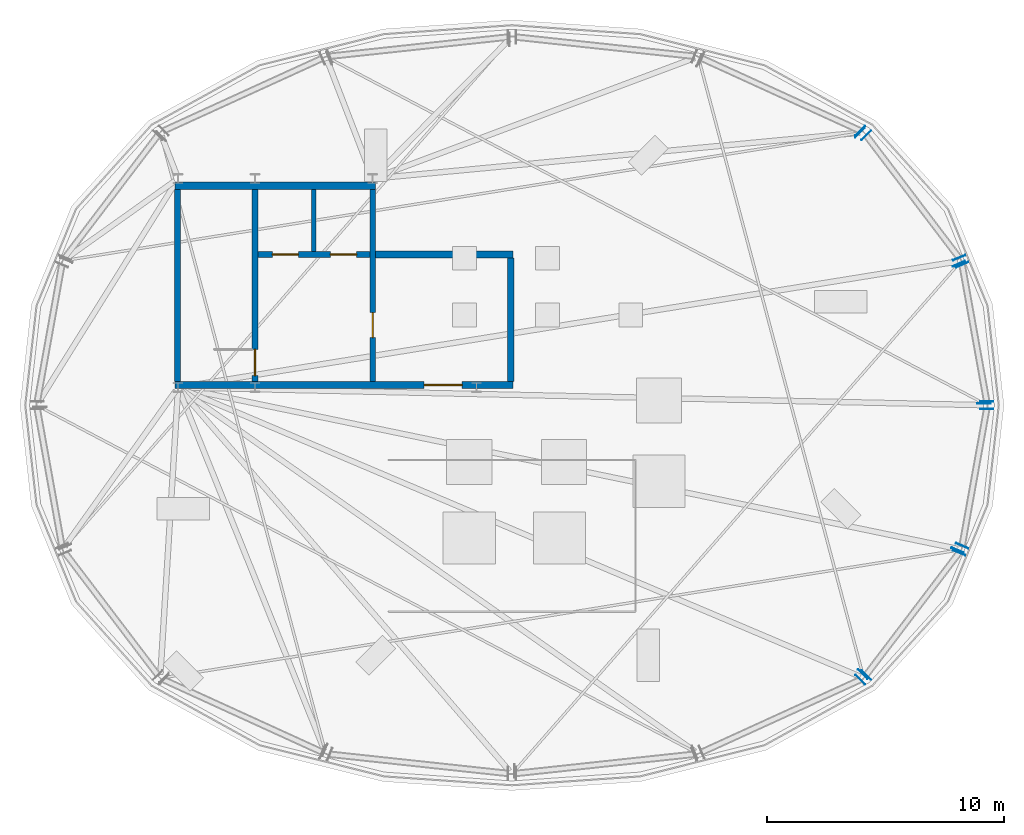
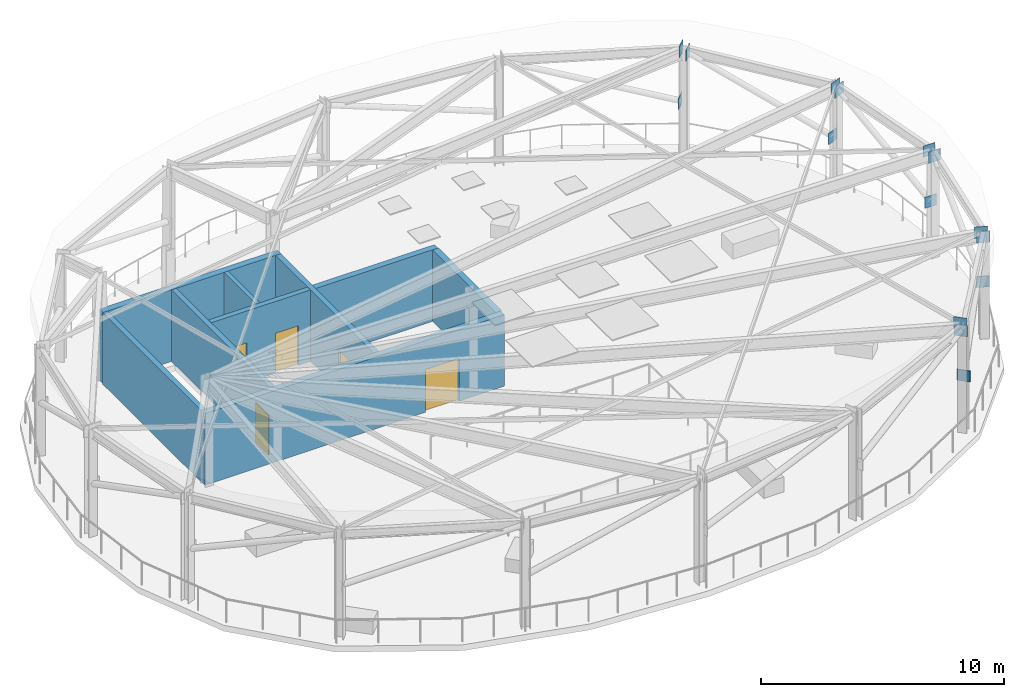
# One storey, part 4 of 6: 15 plates, 9 walls, 5 doors, 5 openings.
"""IFC4 building model written with IfcOpenShell, lengths in metres."""

from ifc_helpers import new_model, si_unit, direction, frame, frame_2d, origin, origin_2d, place, context, subcontext, project, spatial, rectangle, extrude, material, layer, layer_set, type_object, element, fill, save


model = new_model("IFC4")

# Units and contexts
model_context = context("Model", 3, precision=1e-05, world=origin(), true_north=direction((0.0, 1.0)))
body_context = subcontext(model_context, "Body", "Model", "MODEL_VIEW")
ifc_project = project(units=[si_unit("LENGTHUNIT", "METRE"), si_unit("AREAUNIT", "SQUARE_METRE"), si_unit("VOLUMEUNIT", "CUBIC_METRE"), si_unit("PLANEANGLEUNIT", "RADIAN"), si_unit("MASSUNIT", "GRAM", prefix="KILO")], contexts=[model_context])

# Site, building, storey
site_placement = place(None, origin())
site = spatial("IfcSite", under=ifc_project, at=site_placement, CompositionType="ELEMENT")
building_placement = place(site_placement, origin())
building = spatial("IfcBuilding", under=site, at=building_placement, Name="Haldorwick Loom Tower", CompositionType="ELEMENT")
storey_placement = place(building_placement, frame((0.0, 0.0, 300.5)))
storey = spatial("IfcBuildingStorey", under=building, at=storey_placement, Name="RF", CompositionType="ELEMENT", Elevation=300.5)

# Plates
ifc_material_1 = material(Name="Steel CSA G40.21 350W", Category="steel")
ifc_layer_1 = layer(ifc_material_1, 0.028076171875, Name="Steel CSA G40.21 350W", Category="steel")
ifc_layer_set_1 = layer_set([ifc_layer_1], Name="Steel CSA G40.21 350W")
plate_type = type_object("IfcPlateType", Name="STR-PLT-GUS28", PredefinedType="SHEET", material=ifc_layer_set_1)
for number, where, z_axis, x_axis, name in (
    (1, (55.8876953125, 26.076904296875, 5.038330078125), (0.0, 0.0, 1.0), (1.0, 0.0, 0.0), "RF Truss Node Gusset Plate PLT-RF-CPR-00A"),
    (2, (50.66259765625, 37.47509765625, 5.038330078125), (0.0, 0.0, 1.0), (0.707106781187, 0.707106781187, 0.0), "RF Truss Node Gusset Plate PLT-RF-CPR-01A"),
    (3, (54.776611328125, 19.88916015625, 5.038330078125), (0.0, 0.0, 1.0), (0.923879532511, -0.382683432365, 0.0), "RF Truss Node Gusset Plate PLT-RF-CPR-05B"),
    (4, (54.830810546875, 31.960693359375, 5.038330078125), (0.0, 0.0, 1.0), (0.923879532511, 0.382683432365, 0.0), "RF Truss Node Gusset Plate PLT-RF-CPR-06B"),
    (5, (50.782958984375, 14.658203125, 5.038330078125), (0.0, 0.0, 1.0), (0.707106781187, -0.707106781187, 0.0), "RF Truss Node Gusset Plate PLT-RF-CPR-07A"),
    (6, (56.00439453125, 26.162353515625, 2.369873046875), (0.0, 0.0, 1.0), (1.0, 0.0, 0.0), "RF Truss Node Gusset Plate PLT-RF-CGUS-00A"),
    (7, (54.96875, 31.92236328125, 4.840087890625), (0.0, 0.0, 1.0), (0.923879532511, 0.382683432365, 0.0), "RF Truss Node Gusset Plate PLT-RF-CGUS-00B"),
    (8, (54.839599609375, 32.216064453125, 2.369873046875), (0.0, 0.0, 1.0), (0.923879532511, 0.382683432365, 0.0), "RF Truss Node Gusset Plate PLT-RF-CGUS-01A"),
    (9, (50.92529296875, 37.369873046875, 4.840087890625), (0.0, 0.0, 1.0), (0.707106781187, 0.707106781187, 0.0), "RF Truss Node Gusset Plate PLT-RF-CGUS-01B"),
    (10, (50.67529296875, 37.56982421875, 2.369873046875), (0.0, 0.0, 1.0), (0.707106781187, 0.707106781187, 0.0), "RF Truss Node Gusset Plate PLT-RF-CGUS-02A"),
    (11, (50.67529296875, 14.43017578125, 4.840087890625), (0.0, 0.0, 1.0), (0.707106781187, -0.707106781187, 0.0), "RF Truss Node Gusset Plate PLT-RF-CGUS-13B"),
    (12, (50.92529296875, 14.630126953125, 2.369873046875), (0.0, 0.0, 1.0), (0.707106781187, -0.707106781187, 0.0), "RF Truss Node Gusset Plate PLT-RF-CGUS-14A"),
    (13, (54.839599609375, 19.783935546875, 4.840087890625), (0.0, 0.0, 1.0), (0.923879532511, -0.382683432365, 0.0), "RF Truss Node Gusset Plate PLT-RF-CGUS-14B"),
    (14, (54.96875, 20.07763671875, 2.369873046875), (0.0, 0.0, 1.0), (0.923879532511, -0.382683432365, 0.0), "RF Truss Node Gusset Plate PLT-RF-CGUS-15A"),
    (15, (56.00439453125, 25.837646484375, 4.840087890625), (0.0, 0.0, 1.0), (1.0, 0.0, 0.0), "RF Truss Node Gusset Plate PLT-RF-CGUS-15B"),
):
    element("IfcPlate", number, at=place(storey_placement, frame(where, z_axis=z_axis, x_axis=x_axis)), inside=storey, type_object=plate_type, Name=name, PredefinedType="SHEET", context=body_context, shape_type="SweptSolid", body=[
        extrude(rectangle(XDim=0.56005859375, YDim=0.028076171875, at=origin_2d()), origin(), (0.0, 0.0, 1.0), 0.56005859375),
    ])

# Walls
ifc_material_2 = material(Name="Pressed Clay Face Brick and Insulated Masonry Backup Assembly", Category="masonry")
ifc_layer_2 = layer(ifc_material_2, 0.280029296875, Name="Pressed Clay Face Brick and Insulated Masonry Backup Assembly", Category="masonry")
ifc_layer_set_2 = layer_set([ifc_layer_2], Name="Pressed Clay Face Brick and Insulated Masonry Backup Assembly")
wall_type_1 = type_object("IfcWallType", Name="ARC-WL-EXT280", PredefinedType="STANDARD", material=ifc_layer_set_2)
wall_1_placement = place(storey_placement, frame((30.2529296875, 32.35009765625, 0.0), z_axis=(0.0, 0.0, 1.0), x_axis=(1.0, 0.0, 0.0)))
element("IfcWall", 16, at=wall_1_placement, inside=storey, type_object=wall_type_1, Name="RF Headhouse Wall WL-RF-PV-N", PredefinedType="STANDARD", context=body_context, shape_type="SweptSolid", body=[
    extrude(rectangle(XDim=5.797119140625, YDim=0.280029296875, at=frame_2d((2.8984375, 0.0))), origin(), (0.0, 0.0, 1.0), 3.60009765625),
])
wall_2_placement = place(storey_placement, frame((35.949951171875, 27.0029296875, 0.0), z_axis=(0.0, 0.0, 1.0), x_axis=(0.0, 1.0, 0.0)))
element("IfcWall", 17, at=wall_2_placement, inside=storey, type_object=wall_type_1, Name="RF Headhouse Wall WL-RF-PV-E", PredefinedType="STANDARD", context=body_context, shape_type="SweptSolid", body=[
    extrude(rectangle(XDim=5.2041015625, YDim=0.280029296875, at=frame_2d((2.60205078125, 0.0))), origin(), (0.0, 0.0, 1.0), 3.60009765625),
])

# Wall, opening, door
ifc_layer_3 = layer(ifc_material_2, 0.320068359375, Name="Pressed Clay Face Brick and Insulated Masonry Backup Assembly", Category="masonry")
ifc_layer_set_3 = layer_set([ifc_layer_3], Name="Pressed Clay Face Brick and Insulated Masonry Backup Assembly")
wall_type_2 = type_object("IfcWallType", Name="ARC-WL-EXT320", PredefinedType="STANDARD", material=ifc_layer_set_3)
wall_3_placement = place(storey_placement, frame((21.800048828125, 26.85009765625, 0.0), z_axis=(0.0, 0.0, 1.0), x_axis=(1.0, 0.0, 0.0)))
wall_3 = element("IfcWall", 18, at=wall_3_placement, inside=storey, type_object=wall_type_2, Name="RF Headhouse Wall WL-RF-PH-S", PredefinedType="STANDARD", context=body_context, shape_type="SweptSolid", body=[
    extrude(rectangle(XDim=14.25, YDim=0.300048828125, at=frame_2d((7.125, 0.0))), origin(), (0.0, 0.0, 1.0), 3.60009765625),
])
opening_1_placement = place(wall_3_placement, frame((10.5, 0.0, 0.0)))
opening_1 = element("IfcOpeningElement", 19, at=opening_1_placement, cuts=wall_3, Name="Opening D-EX16", PredefinedType="OPENING", context=body_context, shape_type="SweptSolid", body=[
    extrude(rectangle(XDim=1.60009765625, YDim=2.14990234375, at=frame_2d((0.800048828125, 1.074951171875))), frame((0.0, 0.159912109375, 0.0), z_axis=(0.0, -1.0, 0.0), x_axis=(1.0, 0.0, 0.0)), (0.0, 0.0, 1.0), 0.320068359375),
])
ifc_material_3 = material(Name="Thermally Broken Anodized Aluminium Curtain Wall Framing", Category="aluminium")
door_type_1 = type_object("IfcDoorType", Name="ARC-DR-EXT-DBL", OperationType="DOUBLE_DOOR_SINGLE_SWING", PredefinedType="DOOR", material=ifc_material_3)
door_1_placement = place(opening_1_placement, frame((1.60009765625, 0.0, 0.0), z_axis=(0.0, 0.0, 1.0), x_axis=(-1.0, 0.0, 0.0)))
door_1 = element("IfcDoor", 20, at=door_1_placement, inside=storey, type_object=door_type_1, Name="RF Botanical Sky Garden Terrace Entrance Door", OperationType="DOUBLE_DOOR_SINGLE_SWING", OverallHeight=2.14990234375, OverallWidth=1.60009765625, PredefinedType="DOOR", context=body_context, shape_type="SweptSolid", body=[
    extrude(rectangle(XDim=1.60009765625, YDim=2.14990234375, at=frame_2d((0.800048828125, 1.074951171875))), frame((0.0, 0.02490234375, 0.0), z_axis=(0.0, -1.0, 0.0), x_axis=(1.0, 0.0, 0.0)), (0.0, 0.0, 1.0), 0.050048828125),
])
fill(opening_1, door_1)

# Walls
wall_4_placement = place(storey_placement, frame((21.800048828125, 35.25, 0.0), z_axis=(0.0, 0.0, 1.0), x_axis=(1.0, 0.0, 0.0)))
element("IfcWall", 21, at=wall_4_placement, inside=storey, type_object=wall_type_2, Name="RF Headhouse Wall WL-RF-PH-N1", PredefinedType="STANDARD", context=body_context, shape_type="SweptSolid", body=[
    extrude(rectangle(XDim=8.449951171875, YDim=0.300048828125, at=frame_2d((4.22509765625, 0.0))), origin(), (0.0, 0.0, 1.0), 3.60009765625),
])
ifc_material_4 = material(Name="Concrete C50 (50 MPa)", Category="concrete")
ifc_layer_4 = layer(ifc_material_4, 0.239990234375, Name="Concrete C50 (50 MPa)", Category="concrete")
ifc_layer_set_4 = layer_set([ifc_layer_4], Name="Concrete C50 (50 MPa)")
wall_type_3 = type_object("IfcWallType", Name="STR-WL-SHAFT240", PredefinedType="SHEAR", material=ifc_layer_set_4)
wall_5_placement = place(storey_placement, frame((21.89990234375, 27.0029296875, 0.0), z_axis=(0.0, 0.0, 1.0), x_axis=(0.0, 1.0, 0.0)))
element("IfcWall", 22, at=wall_5_placement, inside=storey, type_object=wall_type_3, Name="RF Headhouse Wall WL-RF-PH-W", PredefinedType="SHEAR", context=body_context, shape_type="SweptSolid", body=[
    extrude(rectangle(XDim=8.093994140625, YDim=0.239990234375, at=frame_2d((4.046875, 0.0))), origin(), (0.0, 0.0, 1.0), 3.60009765625),
])

# Wall, opening, door
wall_6_placement = place(storey_placement, frame((25.169921875, 27.0029296875, 0.0), z_axis=(0.0, 0.0, 1.0), x_axis=(0.0, 1.0, 0.0)))
wall_6 = element("IfcWall", 23, at=wall_6_placement, inside=storey, type_object=wall_type_3, Name="RF Headhouse Wall WL-RF-PH-M1", PredefinedType="SHEAR", context=body_context, shape_type="SweptSolid", body=[
    extrude(rectangle(XDim=8.093994140625, YDim=0.239990234375, at=frame_2d((4.046875, 0.0))), origin(), (0.0, 0.0, 1.0), 3.60009765625),
])
opening_2_placement = place(wall_6_placement, frame((0.25, 0.0, 0.0)))
opening_2 = element("IfcOpeningElement", 24, at=opening_2_placement, cuts=wall_6, Name="Opening D-FD90", PredefinedType="OPENING", context=body_context, shape_type="SweptSolid", body=[
    extrude(rectangle(XDim=1.10009765625, YDim=2.0, at=frame_2d((0.550048828125, 1.0))), frame((0.0, 0.1298828125, 0.0), z_axis=(0.0, -1.0, 0.0), x_axis=(1.0, 0.0, 0.0)), (0.0, 0.0, 1.0), 0.260009765625),
])
ifc_material_5 = material(Name="Hollow Steel Fire Door Assembly", Category="steel")
door_type_2 = type_object("IfcDoorType", Name="ARC-DR-FD90", OperationType="NOTDEFINED", PredefinedType="DOOR", material=ifc_material_5)
door_2_placement = place(opening_2_placement, origin())
door_2 = element("IfcDoor", 25, at=door_2_placement, inside=storey, type_object=door_type_2, Name="RF Stair ST-01 Exit Door", OperationType="SINGLE_SWING_LEFT", OverallHeight=2.0, OverallWidth=1.10009765625, PredefinedType="DOOR", context=body_context, shape_type="SweptSolid", body=[
    extrude(rectangle(XDim=1.10009765625, YDim=2.0, at=frame_2d((0.550048828125, 1.0))), frame((0.0, 0.02490234375, 0.0), z_axis=(0.0, -1.0, 0.0), x_axis=(1.0, 0.0, 0.0)), (0.0, 0.0, 1.0), 0.050048828125),
])
fill(opening_2, door_2)

wall_7_placement = place(storey_placement, frame((30.1298828125, 27.0029296875, 0.0), z_axis=(0.0, 0.0, 1.0), x_axis=(0.0, 1.0, 0.0)))
wall_7 = element("IfcWall", 26, at=wall_7_placement, inside=storey, type_object=wall_type_3, Name="RF Headhouse Wall WL-RF-PH-M2", PredefinedType="SHEAR", context=body_context, shape_type="SweptSolid", body=[
    extrude(rectangle(XDim=8.093994140625, YDim=0.239990234375, at=frame_2d((4.046875, 0.0))), origin(), (0.0, 0.0, 1.0), 3.60009765625),
])
opening_3_placement = place(wall_7_placement, frame((1.85009765625, 0.0, 0.0)))
opening_3 = element("IfcOpeningElement", 27, at=opening_3_placement, cuts=wall_7, Name="Opening D-FD60", PredefinedType="OPENING", context=body_context, shape_type="SweptSolid", body=[
    extrude(rectangle(XDim=1.050048828125, YDim=2.0, at=frame_2d((0.52490234375, 1.0))), frame((0.0, 0.1298828125, 0.0), z_axis=(0.0, -1.0, 0.0), x_axis=(1.0, 0.0, 0.0)), (0.0, 0.0, 1.0), 0.260009765625),
])
door_type_3 = type_object("IfcDoorType", Name="ARC-DR-FD60", OperationType="NOTDEFINED", PredefinedType="DOOR", material=ifc_material_5)
door_3_placement = place(opening_3_placement, origin())
door_3 = element("IfcDoor", 28, at=door_3_placement, inside=storey, type_object=door_type_3, Name="RF Pavilion to Firefighting Lobby Door", OperationType="SINGLE_SWING_RIGHT", OverallHeight=2.0, OverallWidth=1.050048828125, PredefinedType="DOOR", context=body_context, shape_type="SweptSolid", body=[
    extrude(rectangle(XDim=1.050048828125, YDim=2.0, at=frame_2d((0.52490234375, 1.0))), frame((0.0, 0.02490234375, 0.0), z_axis=(0.0, -1.0, 0.0), x_axis=(1.0, 0.0, 0.0)), (0.0, 0.0, 1.0), 0.050048828125),
])
fill(opening_3, door_3)

# Wall, openings, doors
wall_8_placement = place(storey_placement, frame((25.29296875, 32.35009765625, 0.0), z_axis=(0.0, 0.0, 1.0), x_axis=(1.0, 0.0, 0.0)))
wall_8 = element("IfcWall", 29, at=wall_8_placement, inside=storey, type_object=wall_type_3, Name="RF Headhouse Wall WL-RF-PH-FF", PredefinedType="SHEAR", context=body_context, shape_type="SweptSolid", body=[
    extrude(rectangle(XDim=4.714111328125, YDim=0.239990234375, at=frame_2d((2.35693359375, 0.0))), origin(), (0.0, 0.0, 1.0), 3.60009765625),
])
opening_4_placement = place(wall_8_placement, frame((0.60693359375, 0.0, 0.0)))
opening_4 = element("IfcOpeningElement", 30, at=opening_4_placement, cuts=wall_8, Name="Opening LD-FF1", PredefinedType="OPENING", context=body_context, shape_type="SweptSolid", body=[
    extrude(rectangle(XDim=1.10009765625, YDim=2.0, at=frame_2d((0.550048828125, 1.0))), frame((0.0, 0.1298828125, 0.0), z_axis=(0.0, -1.0, 0.0), x_axis=(1.0, 0.0, 0.0)), (0.0, 0.0, 1.0), 0.260009765625),
])
opening_5_placement = place(wall_8_placement, frame((3.056884765625, 0.0, 0.0)))
opening_5 = element("IfcOpeningElement", 31, at=opening_5_placement, cuts=wall_8, Name="Opening LD-FF2", PredefinedType="OPENING", context=body_context, shape_type="SweptSolid", body=[
    extrude(rectangle(XDim=1.10009765625, YDim=2.0, at=frame_2d((0.550048828125, 1.0))), frame((0.0, 0.1298828125, 0.0), z_axis=(0.0, -1.0, 0.0), x_axis=(1.0, 0.0, 0.0)), (0.0, 0.0, 1.0), 0.260009765625),
])
door_type_4 = type_object("IfcDoorType", Name="ARC-DR-LD-FF", OperationType="NOTDEFINED", PredefinedType="USERDEFINED", material=ifc_material_5)
door_4_placement = place(opening_4_placement, origin())
door_4 = element("IfcDoor", 32, at=door_4_placement, inside=storey, type_object=door_type_4, Name="RF Lift LF-FF1 Sliding Landing Door", ObjectType="LANDING DOOR", OperationType="DOUBLE_DOOR_SLIDING", OverallHeight=2.0, OverallWidth=1.10009765625, PredefinedType="USERDEFINED", context=body_context, shape_type="SweptSolid", body=[
    extrude(rectangle(XDim=1.10009765625, YDim=2.0, at=frame_2d((0.550048828125, 1.0))), frame((0.0, 0.02490234375, 0.0), z_axis=(0.0, -1.0, 0.0), x_axis=(1.0, 0.0, 0.0)), (0.0, 0.0, 1.0), 0.050048828125),
])
fill(opening_4, door_4)
door_5_placement = place(opening_5_placement, origin())
door_5 = element("IfcDoor", 33, at=door_5_placement, inside=storey, type_object=door_type_4, Name="RF Lift LF-FF2 Sliding Landing Door", ObjectType="LANDING DOOR", OperationType="DOUBLE_DOOR_SLIDING", OverallHeight=2.0, OverallWidth=1.10009765625, PredefinedType="USERDEFINED", context=body_context, shape_type="SweptSolid", body=[
    extrude(rectangle(XDim=1.10009765625, YDim=2.0, at=frame_2d((0.550048828125, 1.0))), frame((0.0, 0.02490234375, 0.0), z_axis=(0.0, -1.0, 0.0), x_axis=(1.0, 0.0, 0.0)), (0.0, 0.0, 1.0), 0.050048828125),
])
fill(opening_5, door_5)

# Wall
wall_9_placement = place(storey_placement, frame((27.64990234375, 32.472900390625, 0.0), z_axis=(0.0, 0.0, 1.0), x_axis=(0.0, 1.0, 0.0)))
element("IfcWall", 34, at=wall_9_placement, inside=storey, type_object=wall_type_3, Name="RF Headhouse Wall WL-RF-PH-FFD", PredefinedType="SHEAR", context=body_context, shape_type="SweptSolid", body=[
    extrude(rectangle(XDim=2.6240234375, YDim=0.199951171875, at=frame_2d((1.31201171875, 0.0))), origin(), (0.0, 0.0, 1.0), 3.60009765625),
])

save(model, "model.ifc")
